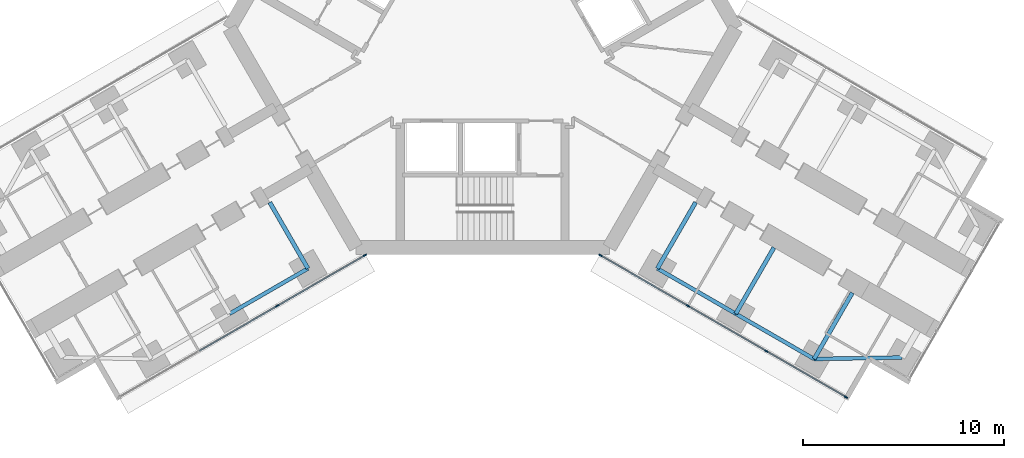
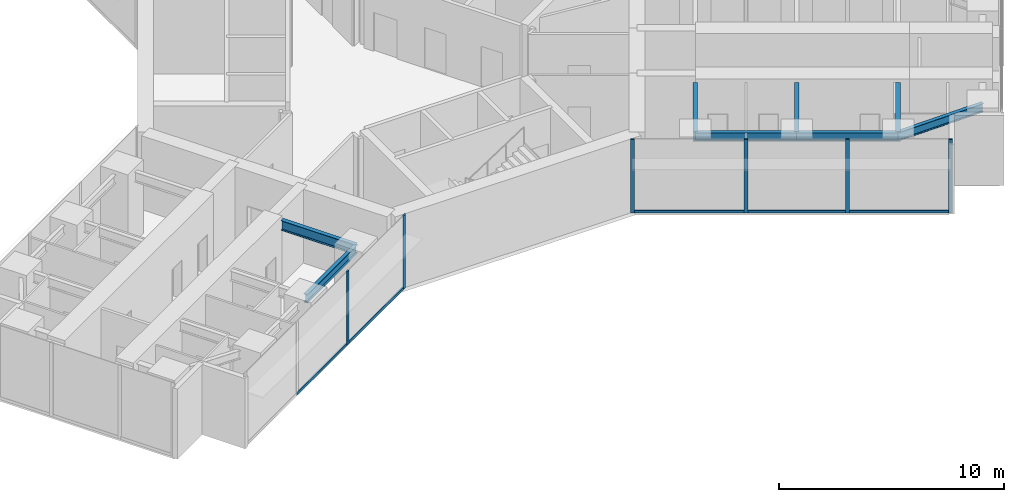
# One storey, part 9 of 25: 11 members, 8 beams, 2 elements without a shape of their own.
"""IFC4 building model written with IfcOpenShell, lengths in metres."""

from ifc_helpers import new_model, si_unit, direction, frame, origin, origin_2d, place, context, subcontext, project, spatial, rectangle, i_section, extrude, material, material_profile, profile_set, type_object, element, aggregate, save


model = new_model("IFC4")

# Units and contexts
model_context = context("Model", 3, precision=1e-05, world=origin(), true_north=direction((0.0, 1.0)))
body_context = subcontext(model_context, "Body", "Model", "MODEL_VIEW")
ifc_project = project(units=[si_unit("LENGTHUNIT", "METRE"), si_unit("AREAUNIT", "SQUARE_METRE"), si_unit("VOLUMEUNIT", "CUBIC_METRE"), si_unit("PLANEANGLEUNIT", "RADIAN"), si_unit("MASSUNIT", "GRAM", prefix="KILO")], contexts=[model_context])

# Site, building, storey
site_placement = place(None, origin())
site = spatial("IfcSite", under=ifc_project, at=site_placement, CompositionType="ELEMENT")
building_placement = place(site_placement, origin())
building = spatial("IfcBuilding", under=site, at=building_placement, Name="Upepo Twin Towers", CompositionType="ELEMENT")
storey_placement = place(building_placement, frame((0.0, 0.0, 72.5)))
storey = spatial("IfcBuildingStorey", under=building, at=storey_placement, Name="L17", CompositionType="ELEMENT", Elevation=72.5)

# Beams
ifc_material_1 = material(Name="Steel S355", Category="steel")
ifc_material_profile_1 = material_profile(ifc_material_1, i_section(OverallWidth=0.1904296875, OverallDepth=0.45703125, WebThickness=0.009033203125, FlangeThickness=0.014404296875, FilletRadius=0.01025390625, at=origin_2d()), Name="UB 457x191x74")
ifc_profile_set_1 = profile_set([ifc_material_profile_1], Name="Steel S355")
beam_type_1 = type_object("IfcBeamType", Name="Beam UB 457x191x74", PredefinedType="BEAM", material=ifc_profile_set_1)
for number, where, z_axis, x_axis, name in (
    (1, (49.80859375, -29.946044921875, 3.571533203125), (-0.866017533419, -0.500013631625, 0.0), (0.500013631625, -0.866017533419, 0.0), "T2 edge beam BL 13.5-18.0"),
    (2, (67.19140625, -29.946044921875, 3.571533203125), (0.866017533419, -0.500013631625, 0.0), (0.500013631625, 0.866017533419, 0.0), "T2 edge beam CR 13.5-18.0"),
):
    element("IfcBeam", number, at=place(storey_placement, frame(where, z_axis=z_axis, x_axis=x_axis)), inside=storey, type_object=beam_type_1, Name=name, PredefinedType="BEAM", context=body_context, shape_type="SweptSolid", body=[
        extrude(i_section(OverallWidth=0.1904296875, OverallDepth=0.45703125, WebThickness=0.009033203125, FlangeThickness=0.014404296875, FilletRadius=0.01025390625, at=origin_2d()), origin(), (0.0, 0.0, 1.0), 4.499755859375),
    ])
beam_1_placement = place(storey_placement, frame((71.08837890625, -32.196044921875, 3.571533203125), z_axis=(0.866031096941, -0.499990139034, 0.0), x_axis=(0.499990139034, 0.866031096941, 0.0)))
element("IfcBeam", 3, at=beam_1_placement, inside=storey, type_object=beam_type_1, Name="T2 edge beam CR 18.0-22.5", PredefinedType="BEAM", context=body_context, shape_type="SweptSolid", body=[
    extrude(i_section(OverallWidth=0.1904296875, OverallDepth=0.45703125, WebThickness=0.009033203125, FlangeThickness=0.014404296875, FilletRadius=0.01025390625, at=origin_2d()), origin(), (0.0, 0.0, 1.0), 4.5),
])
beam_2_placement = place(storey_placement, frame((74.985595703125, -34.446044921875, 3.571533203125), z_axis=(0.999858804832, 0.016803880528, 0.0), x_axis=(-0.016803880528, 0.999858804832, 0.0)))
element("IfcBeam", 4, at=beam_2_placement, inside=storey, type_object=beam_type_1, Name="T2 nose edge beam CR", PredefinedType="BEAM", context=body_context, shape_type="SweptSolid", body=[
    extrude(i_section(OverallWidth=0.1904296875, OverallDepth=0.45703125, WebThickness=0.009033203125, FlangeThickness=0.014404296875, FilletRadius=0.01025390625, at=origin_2d()), origin(), (0.0, 0.0, 1.0), 4.373291015625),
])
ifc_material_2 = material(Name="Steel S355", Category="steel")
ifc_material_profile_2 = material_profile(ifc_material_2, i_section(OverallWidth=0.209228515625, OverallDepth=0.533203125, WebThickness=0.010009765625, FlangeThickness=0.015625, FilletRadius=0.0126953125, at=origin_2d()), Name="UB 533x210x92")
ifc_profile_set_2 = profile_set([ifc_material_profile_2], Name="Steel S355")
beam_type_2 = type_object("IfcBeamType", Name="Beam UB 533x210x92", PredefinedType="BEAM", material=ifc_profile_set_2)
for number, where, z_axis, x_axis, name in (
    (5, (49.80859375, -29.946044921875, 3.533447265625), (-0.499994975061, 0.866028304915, 0.0), (-0.866028304915, -0.499994975061, 0.0), "T2 girder BL at 13.5"),
    (6, (67.19140625, -29.946044921875, 3.533447265625), (0.499994975061, 0.866028304915, 0.0), (-0.866028304915, 0.499994975061, 0.0), "T2 girder CR at 13.5"),
):
    element("IfcBeam", number, at=place(storey_placement, frame(where, z_axis=z_axis, x_axis=x_axis)), inside=storey, type_object=beam_type_2, Name=name, PredefinedType="BEAM", context=body_context, shape_type="SweptSolid", body=[
        extrude(i_section(OverallWidth=0.209228515625, OverallDepth=0.533203125, WebThickness=0.010009765625, FlangeThickness=0.015625, FilletRadius=0.0126953125, at=origin_2d()), origin(), (0.0, 0.0, 1.0), 3.7998046875),
    ])
beam_3_placement = place(storey_placement, frame((71.08837890625, -32.196044921875, 3.533447265625), z_axis=(0.500043160704, 0.866000483506, 0.0), x_axis=(-0.866000483506, 0.500043160704, 0.0)))
element("IfcBeam", 7, at=beam_3_placement, inside=storey, type_object=beam_type_2, Name="T2 girder CR at 18.0", PredefinedType="BEAM", context=body_context, shape_type="SweptSolid", body=[
    extrude(i_section(OverallWidth=0.209228515625, OverallDepth=0.533203125, WebThickness=0.010009765625, FlangeThickness=0.015625, FilletRadius=0.0126953125, at=origin_2d()), origin(), (0.0, 0.0, 1.0), 3.800048828125),
])
beam_4_placement = place(storey_placement, frame((74.985595703125, -34.446044921875, 3.533447265625), z_axis=(0.499994975061, 0.866028304915, 0.0), x_axis=(-0.866028304915, 0.499994975061, 0.0)))
element("IfcBeam", 8, at=beam_4_placement, inside=storey, type_object=beam_type_2, Name="T2 girder CR at 22.5", PredefinedType="BEAM", context=body_context, shape_type="SweptSolid", body=[
    extrude(i_section(OverallWidth=0.209228515625, OverallDepth=0.533203125, WebThickness=0.010009765625, FlangeThickness=0.015625, FilletRadius=0.0126953125, at=origin_2d()), origin(), (0.0, 0.0, 1.0), 3.7998046875),
])

# Curtain wall, members
ifc_material_3 = material(Name="Aluminium and fritted glass", Category="aluminium")
curtain_wall_type = type_object("IfcCurtainWallType", Name="Tower curtain wall TW1, fritted glass", PredefinedType="NOTDEFINED", material=ifc_material_3)
curtain_wall_1_placement = place(storey_placement, origin())
curtain_wall_1 = element("IfcCurtainWall", 9, at=curtain_wall_1_placement, inside=storey, type_object=curtain_wall_type, Name="T2 L17 wing B flank L curtain wall", PredefinedType="NOTDEFINED")
ifc_material_4 = material(Name="Aluminium mullion", Category="aluminium")
ifc_material_profile_3 = material_profile(ifc_material_4, rectangle(XDim=0.06494140625, YDim=0.179931640625, at=origin_2d()), Name="MULLION 65x180")
ifc_profile_set_3 = profile_set([ifc_material_profile_3], Name="Aluminium mullion")
member_type_1 = type_object("IfcMemberType", Name="Mullion 65x180 TW1", PredefinedType="MULLION", material=ifc_profile_set_3)
member_1_placement = place(storey_placement, frame((52.6416015625, -29.2919921875, 0.0), z_axis=(0.0, 0.0, 1.0), x_axis=(0.500000024426, -0.866025389682, 0.0)))
member_1 = element("IfcMember", 10, at=member_1_placement, type_object=member_type_1, Name="T2 L17 wing B flank L curtain wall mullion 1", PredefinedType="MULLION", context=body_context, shape_type="SweptSolid", body=[
    extrude(rectangle(XDim=0.06494140625, YDim=0.179931640625, at=origin_2d()), origin(), (0.0, 0.0, 1.0), 4.0),
])
member_2_placement = place(storey_placement, frame((48.28515625, -31.807373046875, 0.0), z_axis=(0.0, 0.0, 1.0), x_axis=(0.500000024426, -0.866025389682, 0.0)))
member_2 = element("IfcMember", 11, at=member_2_placement, type_object=member_type_1, Name="T2 L17 wing B flank L curtain wall mullion 2", PredefinedType="MULLION", context=body_context, shape_type="SweptSolid", body=[
    extrude(rectangle(XDim=0.06494140625, YDim=0.179931640625, at=origin_2d()), origin(), (0.0, 0.0, 1.0), 4.0),
])

curtain_wall_2_placement = place(storey_placement, origin())
curtain_wall_2 = element("IfcCurtainWall", 12, at=curtain_wall_2_placement, inside=storey, type_object=curtain_wall_type, Name="T2 L17 wing C flank R curtain wall", PredefinedType="NOTDEFINED")
member_3_placement = place(storey_placement, frame((76.567626953125, -36.341064453125, 0.0), z_axis=(0.0, 0.0, 1.0), x_axis=(-0.500000024426, -0.866025389682, 0.0)))
member_3 = element("IfcMember", 13, at=member_3_placement, type_object=member_type_1, Name="T2 L17 wing C flank R curtain wall mullion 1", PredefinedType="MULLION", context=body_context, shape_type="SweptSolid", body=[
    extrude(rectangle(XDim=0.06494140625, YDim=0.179931640625, at=origin_2d()), origin(), (0.0, 0.0, 1.0), 4.0),
])
member_4_placement = place(storey_placement, frame((72.612060546875, -34.057373046875, 0.0), z_axis=(0.0, 0.0, 1.0), x_axis=(-0.500000024426, -0.866025389682, 0.0)))
member_4 = element("IfcMember", 14, at=member_4_placement, type_object=member_type_1, Name="T2 L17 wing C flank R curtain wall mullion 2", PredefinedType="MULLION", context=body_context, shape_type="SweptSolid", body=[
    extrude(rectangle(XDim=0.06494140625, YDim=0.179931640625, at=origin_2d()), origin(), (0.0, 0.0, 1.0), 4.0),
])
member_5_placement = place(storey_placement, frame((68.71484375, -31.807373046875, 0.0), z_axis=(0.0, 0.0, 1.0), x_axis=(-0.500000024426, -0.866025389682, 0.0)))
member_5 = element("IfcMember", 15, at=member_5_placement, type_object=member_type_1, Name="T2 L17 wing C flank R curtain wall mullion 3", PredefinedType="MULLION", context=body_context, shape_type="SweptSolid", body=[
    extrude(rectangle(XDim=0.06494140625, YDim=0.179931640625, at=origin_2d()), origin(), (0.0, 0.0, 1.0), 4.0),
])
member_6_placement = place(storey_placement, frame((64.3583984375, -29.2919921875, 0.0), z_axis=(0.0, 0.0, 1.0), x_axis=(-0.500000024426, -0.866025389682, 0.0)))
member_6 = element("IfcMember", 16, at=member_6_placement, type_object=member_type_1, Name="T2 L17 wing C flank R curtain wall mullion 4", PredefinedType="MULLION", context=body_context, shape_type="SweptSolid", body=[
    extrude(rectangle(XDim=0.06494140625, YDim=0.179931640625, at=origin_2d()), origin(), (0.0, 0.0, 1.0), 4.0),
])

# Member
ifc_material_5 = material(Name="Aluminium transom", Category="aluminium")
ifc_material_profile_4 = material_profile(ifc_material_5, rectangle(XDim=0.06494140625, YDim=0.14990234375, at=origin_2d()), Name="TRANSOM 65x150")
ifc_profile_set_4 = profile_set([ifc_material_profile_4], Name="Aluminium transom")
member_type_2 = type_object("IfcMemberType", Name="Transom 65x150 TW1", PredefinedType="USERDEFINED", material=ifc_profile_set_4)
member_7_placement = place(storey_placement, frame((52.61328125, -29.308349609375, 0.074951171875), z_axis=(-0.866022642139, -0.50000478328, 0.0), x_axis=(0.50000478328, -0.866022642139, 0.0)))
member_7 = element("IfcMember", 17, at=member_7_placement, type_object=member_type_2, Name="T2 L17 wing B flank L curtain wall transom 1", ObjectType="TRANSOM", PredefinedType="USERDEFINED", context=body_context, shape_type="SweptSolid", body=[
    extrude(rectangle(XDim=0.06494140625, YDim=0.14990234375, at=origin_2d()), origin(), (0.0, 0.0, 1.0), 4.96533203125),
])

member_8_placement = place(storey_placement, frame((48.2568359375, -31.823486328125, 0.074951171875), z_axis=(-0.866022410713, -0.500005184116, 0.0), x_axis=(0.500005184116, -0.866022410713, 0.0)))
member_8 = element("IfcMember", 18, at=member_8_placement, type_object=member_type_2, Name="T2 L17 wing B flank L curtain wall transom 2", ObjectType="TRANSOM", PredefinedType="USERDEFINED", context=body_context, shape_type="SweptSolid", body=[
    extrude(rectangle(XDim=0.06494140625, YDim=0.14990234375, at=origin_2d()), origin(), (0.0, 0.0, 1.0), 4.43505859375),
])

aggregate(curtain_wall_1, [member_1, member_2, member_7, member_8])

member_9_placement = place(storey_placement, frame((76.53955078125, -36.32470703125, 0.074951171875), z_axis=(-0.866035699072, 0.499982167615, 0.0), x_axis=(-0.499982167615, -0.866035699072, 0.0)))
member_9 = element("IfcMember", 19, at=member_9_placement, type_object=member_type_2, Name="T2 L17 wing C flank R curtain wall transom 1", ObjectType="TRANSOM", PredefinedType="USERDEFINED", context=body_context, shape_type="SweptSolid", body=[
    extrude(rectangle(XDim=0.06494140625, YDim=0.14990234375, at=origin_2d()), origin(), (0.0, 0.0, 1.0), 4.502685546875),
])

member_10_placement = place(storey_placement, frame((72.583984375, -34.041015625, 0.074951171875), z_axis=(-0.866022410713, 0.500005184116, 0.0), x_axis=(-0.500005184116, -0.866022410713, 0.0)))
member_10 = element("IfcMember", 20, at=member_10_placement, type_object=member_type_2, Name="T2 L17 wing C flank R curtain wall transom 2", ObjectType="TRANSOM", PredefinedType="USERDEFINED", context=body_context, shape_type="SweptSolid", body=[
    extrude(rectangle(XDim=0.06494140625, YDim=0.14990234375, at=origin_2d()), origin(), (0.0, 0.0, 1.0), 4.43505859375),
])

member_11_placement = place(storey_placement, frame((68.686767578125, -31.791015625, 0.074951171875), z_axis=(-0.866022642139, 0.50000478328, 0.0), x_axis=(-0.50000478328, -0.866022642139, 0.0)))
member_11 = element("IfcMember", 21, at=member_11_placement, type_object=member_type_2, Name="T2 L17 wing C flank R curtain wall transom 3", ObjectType="TRANSOM", PredefinedType="USERDEFINED", context=body_context, shape_type="SweptSolid", body=[
    extrude(rectangle(XDim=0.06494140625, YDim=0.14990234375, at=origin_2d()), origin(), (0.0, 0.0, 1.0), 4.96533203125),
])

aggregate(curtain_wall_2, [member_3, member_4, member_5, member_6, member_9, member_10, member_11])

save(model, "model.ifc")
